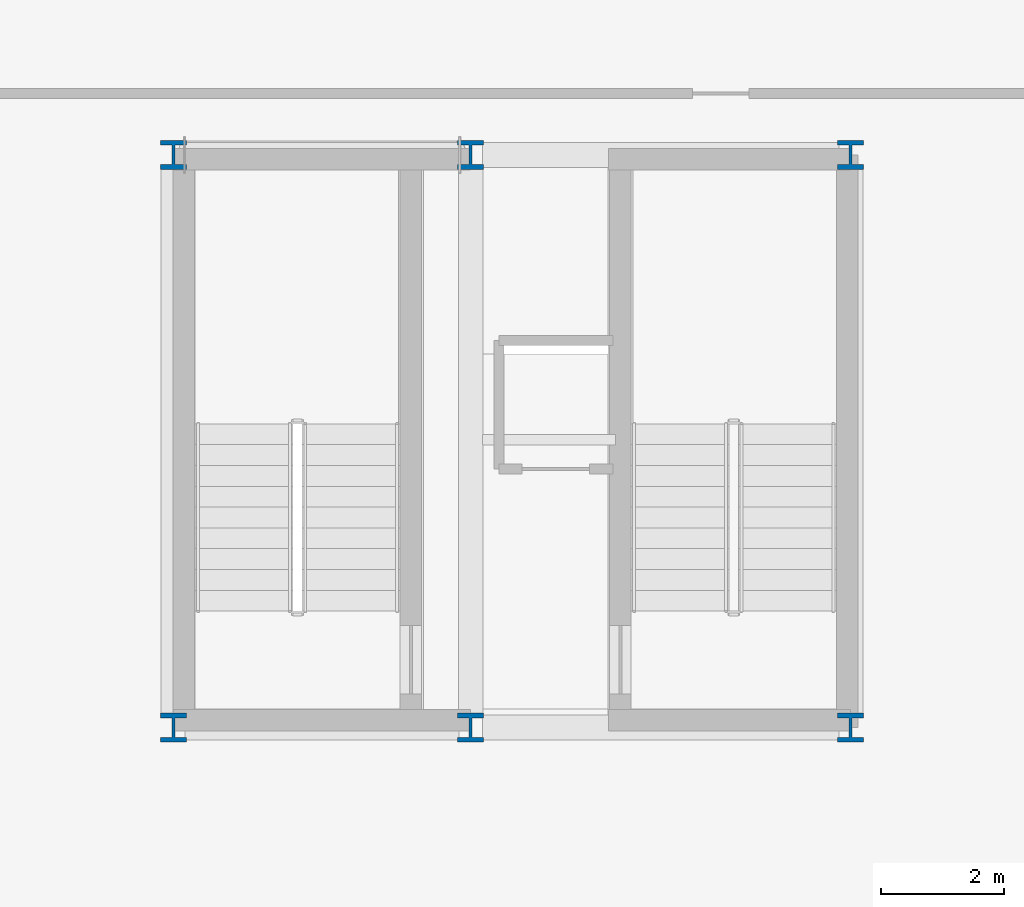
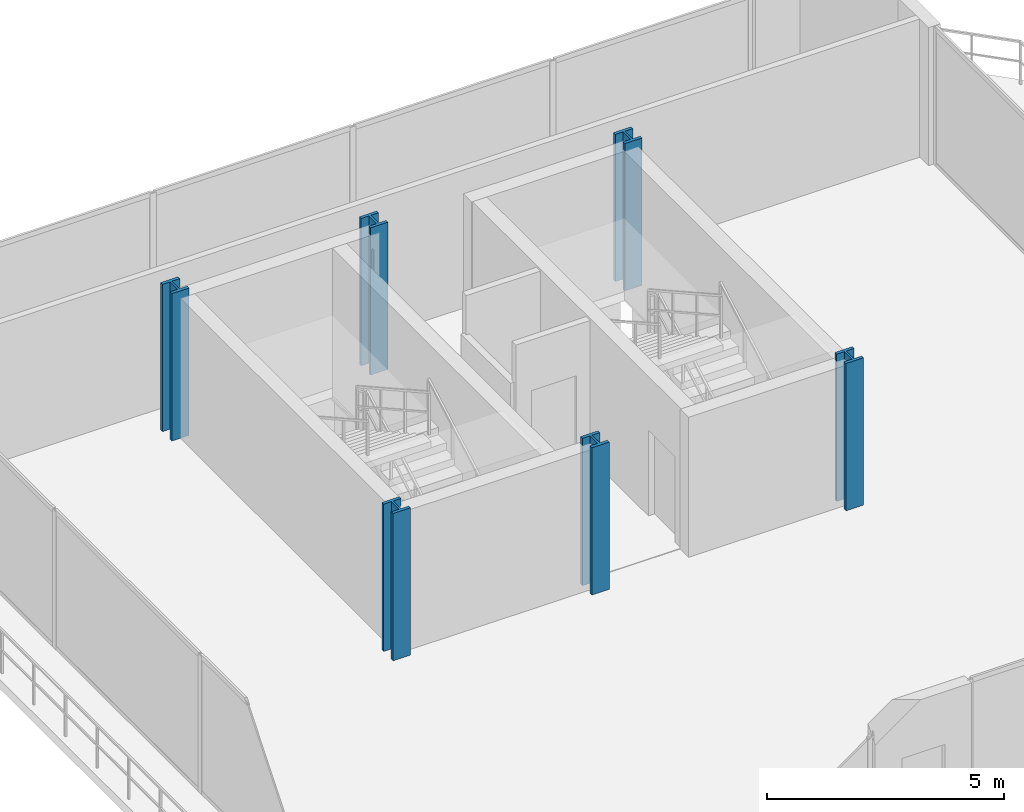
# One storey, part 1 of 16: 6 columns.
"""IFC4 building model written with IfcOpenShell, lengths in metres."""

from ifc_helpers import new_model, si_unit, direction, frame, origin, origin_2d, place, context, subcontext, project, spatial, i_section, extrude, material, material_profile, profile_set, type_object, element, save


model = new_model("IFC4")

# Units and contexts
model_context = context("Model", 3, precision=1e-05, world=origin(), true_north=direction((0.0, 1.0)))
body_context = subcontext(model_context, "Body", "Model", "MODEL_VIEW")
ifc_project = project(units=[si_unit("LENGTHUNIT", "METRE"), si_unit("AREAUNIT", "SQUARE_METRE"), si_unit("VOLUMEUNIT", "CUBIC_METRE"), si_unit("PLANEANGLEUNIT", "RADIAN"), si_unit("MASSUNIT", "GRAM", prefix="KILO")], contexts=[model_context])

# Site, building, storey
site_placement = place(None, origin())
site = spatial("IfcSite", under=ifc_project, at=site_placement, CompositionType="ELEMENT")
building_placement = place(site_placement, origin())
building = spatial("IfcBuilding", under=site, at=building_placement, Name="Zuhayl Quay Hotel", CompositionType="ELEMENT")
storey_placement = place(building_placement, frame((0.0, 0.0, 308.64990234375)))
storey = spatial("IfcBuildingStorey", under=building, at=storey_placement, Name="Crown 4", CompositionType="ELEMENT", Elevation=308.64990234375)

# Columns
ifc_material = material(Name="Steel ASTM A913 Grade 65", Category="steel")
ifc_material_profile = material_profile(ifc_material, i_section(OverallWidth=0.424072265625, OverallDepth=0.47412109375, WebThickness=0.047607421875, FlangeThickness=0.0771484375, at=origin_2d()), Name="W14X426")
ifc_profile_set = profile_set([ifc_material_profile], Name="Steel ASTM A913 Grade 65")
column_type = type_object("IfcColumnType", Name="CL_SC3_W14_426", PredefinedType="COLUMN", material=ifc_profile_set)
for number, where, z_axis, x_axis, name in (
    (1, (-9.449951171875, 25.10009765625, 0.0), (0.0, 0.0, 1.0), (1.0, 0.0, 0.0), "Crown 4 Crown Column CRC_SW"),
    (2, (-4.60009765625, 25.10009765625, 0.0), (0.0, 0.0, 1.0), (1.0, 0.0, 0.0), "Crown 4 Crown Column CRC_SM"),
    (3, (1.60009765625, 25.10009765625, 0.0), (0.0, 0.0, 1.0), (1.0, 0.0, 0.0), "Crown 4 Crown Column CRC_SE"),
    (4, (-9.449951171875, 34.449951171875, 0.0), (0.0, 0.0, 1.0), (1.0, 0.0, 0.0), "Crown 4 Crown Column CRC_NW"),
    (5, (-4.60009765625, 34.449951171875, 0.0), (0.0, 0.0, 1.0), (1.0, 0.0, 0.0), "Crown 4 Crown Column CRC_NM"),
    (6, (1.60009765625, 34.449951171875, 0.0), (0.0, 0.0, 1.0), (1.0, 0.0, 0.0), "Crown 4 Crown Column CRC_NE"),
):
    element("IfcColumn", number, at=place(storey_placement, frame(where, z_axis=z_axis, x_axis=x_axis)), inside=storey, type_object=column_type, Name=name, PredefinedType="COLUMN", context=body_context, shape_type="SweptSolid", body=[
        extrude(i_section(OverallWidth=0.424072265625, OverallDepth=0.47412109375, WebThickness=0.047607421875, FlangeThickness=0.0771484375, at=origin_2d()), origin(), (0.0, 0.0, 1.0), 3.800048828125),
    ])

save(model, "model.ifc")
